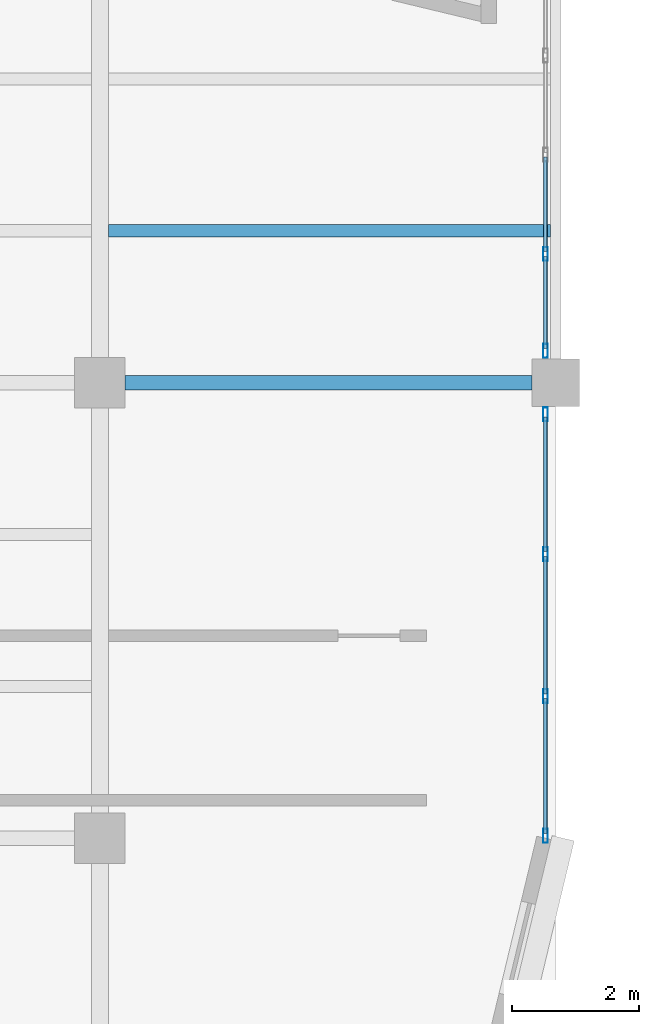
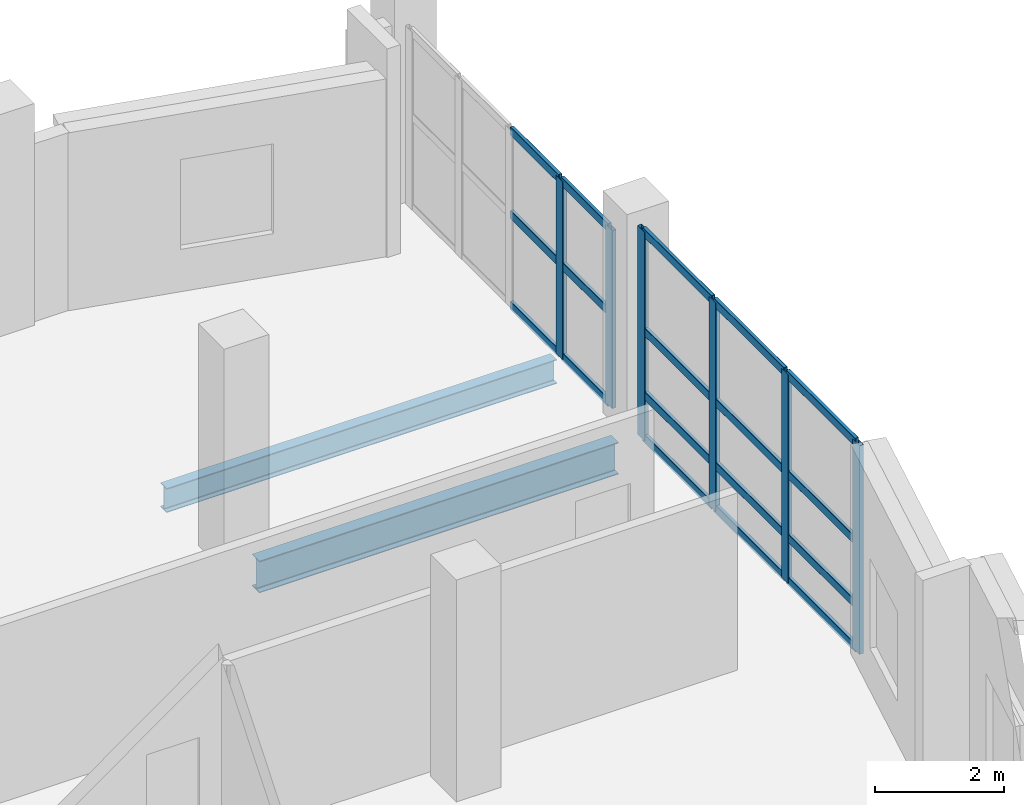
# One storey, part 24 of 94: 24 members, 2 beams, 2 elements without a shape of their own.
"""IFC4 building model written with IfcOpenShell, lengths in metres."""

from ifc_helpers import new_model, si_unit, direction, frame, origin, origin_2d, place, context, subcontext, project, spatial, hollow_rectangle, i_section, extrude, material, material_profile, profile_set, type_object, element, aggregate, save


model = new_model("IFC4")

# Units and contexts
model_context = context("Model", 3, precision=1e-05, world=origin(), true_north=direction((0.0, 1.0)))
body_context = subcontext(model_context, "Body", "Model", "MODEL_VIEW")
ifc_project = project(units=[si_unit("LENGTHUNIT", "METRE"), si_unit("AREAUNIT", "SQUARE_METRE"), si_unit("VOLUMEUNIT", "CUBIC_METRE"), si_unit("PLANEANGLEUNIT", "RADIAN"), si_unit("MASSUNIT", "GRAM", prefix="KILO")], contexts=[model_context])

# Site, building, storey
site_placement = place(None, origin())
site = spatial("IfcSite", under=ifc_project, at=site_placement, CompositionType="ELEMENT")
building_placement = place(site_placement, origin())
building = spatial("IfcBuilding", under=site, at=building_placement, Name="Kalmorath City Hall", CompositionType="ELEMENT")
storey_placement = place(building_placement, frame((0.0, 0.0, 14.699951171875)))
storey = spatial("IfcBuildingStorey", under=building, at=storey_placement, Name="L03", CompositionType="ELEMENT", Elevation=14.699951171875)

# Curtain wall, members
ifc_material_1 = material(Name="Anodised aluminium and laminated glass", Category="aluminium")
curtain_wall_type_1 = type_object("IfcCurtainWallType", Name="Unitised hurricane curtain wall 6270x3366 M1500", PredefinedType="NOTDEFINED", material=ifc_material_1)
curtain_wall_1_placement = place(storey_placement, origin())
curtain_wall_1 = element("IfcCurtainWall", 1, at=curtain_wall_1_placement, inside=storey, type_object=curtain_wall_type_1, Name="L03 curtain wall CW-63X34M15 #155", PredefinedType="NOTDEFINED")
ifc_material_2 = material(Name="Anodised aluminium framing", Category="aluminium")
ifc_material_profile_1 = material_profile(ifc_material_2, hollow_rectangle(XDim=0.074951171875, YDim=0.219970703125, WallThickness=0.00390625, InnerFilletRadius=0.00390625, OuterFilletRadius=0.008056640625, at=origin_2d()), Name="ALU-MUL-220X75X4")
ifc_profile_set_1 = profile_set([ifc_material_profile_1], Name="Anodised aluminium framing")
member_type_1 = type_object("IfcMemberType", Name="Curtain-wall primary mullion 220x75", PredefinedType="MULLION", material=ifc_profile_set_1)
member_1_placement = place(storey_placement, frame((35.840087890625, 30.83251953125, 0.0), z_axis=(0.0, 0.0, 1.0), x_axis=(1.0, 0.0, 0.0)))
member_1 = element("IfcMember", 2, at=member_1_placement, type_object=member_type_1, Name="CW-63X34M15 mullion 4", PredefinedType="MULLION", context=body_context, shape_type="SweptSolid", body=[
    extrude(hollow_rectangle(XDim=0.074951171875, YDim=0.219970703125, WallThickness=0.00390625, InnerFilletRadius=0.00390625, OuterFilletRadius=0.008056640625, at=origin_2d()), origin(), (0.0, 0.0, 1.0), 3.365966796875),
])
member_2_placement = place(storey_placement, frame((35.840087890625, 29.302490234375, 0.0), z_axis=(0.0, 0.0, 1.0), x_axis=(1.0, 0.0, 0.0)))
member_2 = element("IfcMember", 3, at=member_2_placement, type_object=member_type_1, Name="CW-63X34M15 mullion 5", PredefinedType="MULLION", context=body_context, shape_type="SweptSolid", body=[
    extrude(hollow_rectangle(XDim=0.074951171875, YDim=0.219970703125, WallThickness=0.00390625, InnerFilletRadius=0.00390625, OuterFilletRadius=0.008056640625, at=origin_2d()), origin(), (0.0, 0.0, 1.0), 3.365966796875),
])

ifc_material_3 = material(Name="Anodised aluminium and laminated glass", Category="aluminium")
curtain_wall_type_2 = type_object("IfcCurtainWallType", Name="Unitised hurricane curtain wall 6735x3950 M2100", PredefinedType="NOTDEFINED", material=ifc_material_3)
curtain_wall_2_placement = place(storey_placement, origin())
curtain_wall_2 = element("IfcCurtainWall", 4, at=curtain_wall_2_placement, inside=storey, type_object=curtain_wall_type_2, Name="L03 curtain wall CW-67X40M21 #156", PredefinedType="NOTDEFINED")
member_3_placement = place(storey_placement, frame((35.840087890625, 28.297607421875, 0.0), z_axis=(0.0, 0.0, 1.0), x_axis=(1.0, 0.0, 0.0)))
member_3 = element("IfcMember", 5, at=member_3_placement, type_object=member_type_1, Name="CW-67X40M21 mullion 1", PredefinedType="MULLION", context=body_context, shape_type="SweptSolid", body=[
    extrude(hollow_rectangle(XDim=0.074951171875, YDim=0.219970703125, WallThickness=0.00390625, InnerFilletRadius=0.00390625, OuterFilletRadius=0.008056640625, at=origin_2d()), origin(), (0.0, 0.0, 1.0), 3.949951171875),
])
member_4_placement = place(storey_placement, frame((35.840087890625, 26.090087890625, 0.0), z_axis=(0.0, 0.0, 1.0), x_axis=(1.0, 0.0, 0.0)))
member_4 = element("IfcMember", 6, at=member_4_placement, type_object=member_type_1, Name="CW-67X40M21 mullion 2", PredefinedType="MULLION", context=body_context, shape_type="SweptSolid", body=[
    extrude(hollow_rectangle(XDim=0.074951171875, YDim=0.219970703125, WallThickness=0.00390625, InnerFilletRadius=0.00390625, OuterFilletRadius=0.008056640625, at=origin_2d()), origin(), (0.0, 0.0, 1.0), 3.949951171875),
])
member_5_placement = place(storey_placement, frame((35.840087890625, 23.844970703125, 0.0), z_axis=(0.0, 0.0, 1.0), x_axis=(1.0, 0.0, 0.0)))
member_5 = element("IfcMember", 7, at=member_5_placement, type_object=member_type_1, Name="CW-67X40M21 mullion 3", PredefinedType="MULLION", context=body_context, shape_type="SweptSolid", body=[
    extrude(hollow_rectangle(XDim=0.074951171875, YDim=0.219970703125, WallThickness=0.00390625, InnerFilletRadius=0.00390625, OuterFilletRadius=0.008056640625, at=origin_2d()), origin(), (0.0, 0.0, 1.0), 3.949951171875),
])
member_6_placement = place(storey_placement, frame((35.840087890625, 21.637451171875, 0.0), z_axis=(0.0, 0.0, 1.0), x_axis=(1.0, 0.0, 0.0)))
member_6 = element("IfcMember", 8, at=member_6_placement, type_object=member_type_1, Name="CW-67X40M21 mullion 4", PredefinedType="MULLION", context=body_context, shape_type="SweptSolid", body=[
    extrude(hollow_rectangle(XDim=0.074951171875, YDim=0.219970703125, WallThickness=0.00390625, InnerFilletRadius=0.00390625, OuterFilletRadius=0.008056640625, at=origin_2d()), origin(), (0.0, 0.0, 1.0), 3.949951171875),
])

# Member
ifc_material_4 = material(Name="Anodised aluminium framing", Category="aluminium")
ifc_material_profile_2 = material_profile(ifc_material_4, hollow_rectangle(XDim=0.06494140625, YDim=0.159912109375, WallThickness=0.00390625, InnerFilletRadius=0.00390625, OuterFilletRadius=0.008056640625, at=origin_2d()), Name="ALU-TRN-160X65X4")
ifc_profile_set_2 = profile_set([ifc_material_profile_2], Name="Anodised aluminium framing")
member_type_2 = type_object("IfcMemberType", Name="Curtain-wall primary transom 160x65", PredefinedType="USERDEFINED", material=ifc_profile_set_2)
member_7_placement = place(storey_placement, frame((35.840087890625, 32.362548828125, 0.032470703125), z_axis=(0.0, -1.0, 0.0), x_axis=(1.0, 0.0, 0.0)))
member_7 = element("IfcMember", 9, at=member_7_placement, type_object=member_type_2, Name="CW-63X34M15 transom 3.1", ObjectType="TRANSOM", PredefinedType="USERDEFINED", context=body_context, shape_type="SweptSolid", body=[
    extrude(hollow_rectangle(XDim=0.06494140625, YDim=0.159912109375, WallThickness=0.00390625, InnerFilletRadius=0.00390625, OuterFilletRadius=0.008056640625, at=origin_2d()), origin(), (0.0, 0.0, 1.0), 1.492431640625),
])

member_8_placement = place(storey_placement, frame((35.840087890625, 32.362548828125, 1.75), z_axis=(0.0, -1.0, 0.0), x_axis=(1.0, 0.0, 0.0)))
member_8 = element("IfcMember", 10, at=member_8_placement, type_object=member_type_2, Name="CW-63X34M15 transom 3.2", ObjectType="TRANSOM", PredefinedType="USERDEFINED", context=body_context, shape_type="SweptSolid", body=[
    extrude(hollow_rectangle(XDim=0.06494140625, YDim=0.159912109375, WallThickness=0.00390625, InnerFilletRadius=0.00390625, OuterFilletRadius=0.008056640625, at=origin_2d()), origin(), (0.0, 0.0, 1.0), 1.492431640625),
])

member_9_placement = place(storey_placement, frame((35.840087890625, 32.362548828125, 3.33349609375), z_axis=(0.0, -1.0, 0.0), x_axis=(1.0, 0.0, 0.0)))
member_9 = element("IfcMember", 11, at=member_9_placement, type_object=member_type_2, Name="CW-63X34M15 transom 3.3", ObjectType="TRANSOM", PredefinedType="USERDEFINED", context=body_context, shape_type="SweptSolid", body=[
    extrude(hollow_rectangle(XDim=0.06494140625, YDim=0.159912109375, WallThickness=0.00390625, InnerFilletRadius=0.00390625, OuterFilletRadius=0.008056640625, at=origin_2d()), origin(), (0.0, 0.0, 1.0), 1.492431640625),
])

member_10_placement = place(storey_placement, frame((35.840087890625, 30.794921875, 0.032470703125), z_axis=(0.0, -1.0, 0.0), x_axis=(1.0, 0.0, 0.0)))
member_10 = element("IfcMember", 12, at=member_10_placement, type_object=member_type_2, Name="CW-63X34M15 transom 4.1", ObjectType="TRANSOM", PredefinedType="USERDEFINED", context=body_context, shape_type="SweptSolid", body=[
    extrude(hollow_rectangle(XDim=0.06494140625, YDim=0.159912109375, WallThickness=0.00390625, InnerFilletRadius=0.00390625, OuterFilletRadius=0.008056640625, at=origin_2d()), origin(), (0.0, 0.0, 1.0), 1.454833984375),
])

member_11_placement = place(storey_placement, frame((35.840087890625, 30.794921875, 1.75), z_axis=(0.0, -1.0, 0.0), x_axis=(1.0, 0.0, 0.0)))
member_11 = element("IfcMember", 13, at=member_11_placement, type_object=member_type_2, Name="CW-63X34M15 transom 4.2", ObjectType="TRANSOM", PredefinedType="USERDEFINED", context=body_context, shape_type="SweptSolid", body=[
    extrude(hollow_rectangle(XDim=0.06494140625, YDim=0.159912109375, WallThickness=0.00390625, InnerFilletRadius=0.00390625, OuterFilletRadius=0.008056640625, at=origin_2d()), origin(), (0.0, 0.0, 1.0), 1.454833984375),
])

member_12_placement = place(storey_placement, frame((35.840087890625, 30.794921875, 3.33349609375), z_axis=(0.0, -1.0, 0.0), x_axis=(1.0, 0.0, 0.0)))
member_12 = element("IfcMember", 14, at=member_12_placement, type_object=member_type_2, Name="CW-63X34M15 transom 4.3", ObjectType="TRANSOM", PredefinedType="USERDEFINED", context=body_context, shape_type="SweptSolid", body=[
    extrude(hollow_rectangle(XDim=0.06494140625, YDim=0.159912109375, WallThickness=0.00390625, InnerFilletRadius=0.00390625, OuterFilletRadius=0.008056640625, at=origin_2d()), origin(), (0.0, 0.0, 1.0), 1.454833984375),
])

aggregate(curtain_wall_1, [member_1, member_2, member_7, member_8, member_9, member_10, member_11, member_12])

member_13_placement = place(storey_placement, frame((35.840087890625, 28.260009765625, 0.032470703125), z_axis=(0.0, -1.0, 0.0), x_axis=(1.0, 0.0, 0.0)))
member_13 = element("IfcMember", 15, at=member_13_placement, type_object=member_type_2, Name="CW-67X40M21 transom 1.1", ObjectType="TRANSOM", PredefinedType="USERDEFINED", context=body_context, shape_type="SweptSolid", body=[
    extrude(hollow_rectangle(XDim=0.06494140625, YDim=0.159912109375, WallThickness=0.00390625, InnerFilletRadius=0.00390625, OuterFilletRadius=0.008056640625, at=origin_2d()), origin(), (0.0, 0.0, 1.0), 2.132568359375),
])

member_14_placement = place(storey_placement, frame((35.840087890625, 28.260009765625, 0.85009765625), z_axis=(0.0, -1.0, 0.0), x_axis=(1.0, 0.0, 0.0)))
member_14 = element("IfcMember", 16, at=member_14_placement, type_object=member_type_2, Name="CW-67X40M21 transom 1.2", ObjectType="TRANSOM", PredefinedType="USERDEFINED", context=body_context, shape_type="SweptSolid", body=[
    extrude(hollow_rectangle(XDim=0.06494140625, YDim=0.159912109375, WallThickness=0.00390625, InnerFilletRadius=0.00390625, OuterFilletRadius=0.008056640625, at=origin_2d()), origin(), (0.0, 0.0, 1.0), 2.132568359375),
])

member_15_placement = place(storey_placement, frame((35.840087890625, 28.260009765625, 2.053955078125), z_axis=(0.0, -1.0, 0.0), x_axis=(1.0, 0.0, 0.0)))
member_15 = element("IfcMember", 17, at=member_15_placement, type_object=member_type_2, Name="CW-67X40M21 transom 1.3", ObjectType="TRANSOM", PredefinedType="USERDEFINED", context=body_context, shape_type="SweptSolid", body=[
    extrude(hollow_rectangle(XDim=0.06494140625, YDim=0.159912109375, WallThickness=0.00390625, InnerFilletRadius=0.00390625, OuterFilletRadius=0.008056640625, at=origin_2d()), origin(), (0.0, 0.0, 1.0), 2.132568359375),
])

member_16_placement = place(storey_placement, frame((35.840087890625, 28.260009765625, 3.91748046875), z_axis=(0.0, -1.0, 0.0), x_axis=(1.0, 0.0, 0.0)))
member_16 = element("IfcMember", 18, at=member_16_placement, type_object=member_type_2, Name="CW-67X40M21 transom 1.4", ObjectType="TRANSOM", PredefinedType="USERDEFINED", context=body_context, shape_type="SweptSolid", body=[
    extrude(hollow_rectangle(XDim=0.06494140625, YDim=0.159912109375, WallThickness=0.00390625, InnerFilletRadius=0.00390625, OuterFilletRadius=0.008056640625, at=origin_2d()), origin(), (0.0, 0.0, 1.0), 2.132568359375),
])

member_17_placement = place(storey_placement, frame((35.840087890625, 26.052490234375, 0.032470703125), z_axis=(0.0, -1.0, 0.0), x_axis=(1.0, 0.0, 0.0)))
member_17 = element("IfcMember", 19, at=member_17_placement, type_object=member_type_2, Name="CW-67X40M21 transom 2.1", ObjectType="TRANSOM", PredefinedType="USERDEFINED", context=body_context, shape_type="SweptSolid", body=[
    extrude(hollow_rectangle(XDim=0.06494140625, YDim=0.159912109375, WallThickness=0.00390625, InnerFilletRadius=0.00390625, OuterFilletRadius=0.008056640625, at=origin_2d()), origin(), (0.0, 0.0, 1.0), 2.169921875),
])

member_18_placement = place(storey_placement, frame((35.840087890625, 26.052490234375, 0.85009765625), z_axis=(0.0, -1.0, 0.0), x_axis=(1.0, 0.0, 0.0)))
member_18 = element("IfcMember", 20, at=member_18_placement, type_object=member_type_2, Name="CW-67X40M21 transom 2.2", ObjectType="TRANSOM", PredefinedType="USERDEFINED", context=body_context, shape_type="SweptSolid", body=[
    extrude(hollow_rectangle(XDim=0.06494140625, YDim=0.159912109375, WallThickness=0.00390625, InnerFilletRadius=0.00390625, OuterFilletRadius=0.008056640625, at=origin_2d()), origin(), (0.0, 0.0, 1.0), 2.169921875),
])

member_19_placement = place(storey_placement, frame((35.840087890625, 26.052490234375, 2.053955078125), z_axis=(0.0, -1.0, 0.0), x_axis=(1.0, 0.0, 0.0)))
member_19 = element("IfcMember", 21, at=member_19_placement, type_object=member_type_2, Name="CW-67X40M21 transom 2.3", ObjectType="TRANSOM", PredefinedType="USERDEFINED", context=body_context, shape_type="SweptSolid", body=[
    extrude(hollow_rectangle(XDim=0.06494140625, YDim=0.159912109375, WallThickness=0.00390625, InnerFilletRadius=0.00390625, OuterFilletRadius=0.008056640625, at=origin_2d()), origin(), (0.0, 0.0, 1.0), 2.169921875),
])

member_20_placement = place(storey_placement, frame((35.840087890625, 26.052490234375, 3.91748046875), z_axis=(0.0, -1.0, 0.0), x_axis=(1.0, 0.0, 0.0)))
member_20 = element("IfcMember", 22, at=member_20_placement, type_object=member_type_2, Name="CW-67X40M21 transom 2.4", ObjectType="TRANSOM", PredefinedType="USERDEFINED", context=body_context, shape_type="SweptSolid", body=[
    extrude(hollow_rectangle(XDim=0.06494140625, YDim=0.159912109375, WallThickness=0.00390625, InnerFilletRadius=0.00390625, OuterFilletRadius=0.008056640625, at=origin_2d()), origin(), (0.0, 0.0, 1.0), 2.169921875),
])

member_21_placement = place(storey_placement, frame((35.840087890625, 23.8076171875, 0.032470703125), z_axis=(0.0, -1.0, 0.0), x_axis=(1.0, 0.0, 0.0)))
member_21 = element("IfcMember", 23, at=member_21_placement, type_object=member_type_2, Name="CW-67X40M21 transom 3.1", ObjectType="TRANSOM", PredefinedType="USERDEFINED", context=body_context, shape_type="SweptSolid", body=[
    extrude(hollow_rectangle(XDim=0.06494140625, YDim=0.159912109375, WallThickness=0.00390625, InnerFilletRadius=0.00390625, OuterFilletRadius=0.008056640625, at=origin_2d()), origin(), (0.0, 0.0, 1.0), 2.132568359375),
])

member_22_placement = place(storey_placement, frame((35.840087890625, 23.8076171875, 0.85009765625), z_axis=(0.0, -1.0, 0.0), x_axis=(1.0, 0.0, 0.0)))
member_22 = element("IfcMember", 24, at=member_22_placement, type_object=member_type_2, Name="CW-67X40M21 transom 3.2", ObjectType="TRANSOM", PredefinedType="USERDEFINED", context=body_context, shape_type="SweptSolid", body=[
    extrude(hollow_rectangle(XDim=0.06494140625, YDim=0.159912109375, WallThickness=0.00390625, InnerFilletRadius=0.00390625, OuterFilletRadius=0.008056640625, at=origin_2d()), origin(), (0.0, 0.0, 1.0), 2.132568359375),
])

member_23_placement = place(storey_placement, frame((35.840087890625, 23.8076171875, 2.053955078125), z_axis=(0.0, -1.0, 0.0), x_axis=(1.0, 0.0, 0.0)))
member_23 = element("IfcMember", 25, at=member_23_placement, type_object=member_type_2, Name="CW-67X40M21 transom 3.3", ObjectType="TRANSOM", PredefinedType="USERDEFINED", context=body_context, shape_type="SweptSolid", body=[
    extrude(hollow_rectangle(XDim=0.06494140625, YDim=0.159912109375, WallThickness=0.00390625, InnerFilletRadius=0.00390625, OuterFilletRadius=0.008056640625, at=origin_2d()), origin(), (0.0, 0.0, 1.0), 2.132568359375),
])

member_24_placement = place(storey_placement, frame((35.840087890625, 23.8076171875, 3.91748046875), z_axis=(0.0, -1.0, 0.0), x_axis=(1.0, 0.0, 0.0)))
member_24 = element("IfcMember", 26, at=member_24_placement, type_object=member_type_2, Name="CW-67X40M21 transom 3.4", ObjectType="TRANSOM", PredefinedType="USERDEFINED", context=body_context, shape_type="SweptSolid", body=[
    extrude(hollow_rectangle(XDim=0.06494140625, YDim=0.159912109375, WallThickness=0.00390625, InnerFilletRadius=0.00390625, OuterFilletRadius=0.008056640625, at=origin_2d()), origin(), (0.0, 0.0, 1.0), 2.132568359375),
])

aggregate(curtain_wall_2, [member_3, member_4, member_5, member_6, member_13, member_14, member_15, member_16, member_17, member_18, member_19, member_20, member_21, member_22, member_23, member_24])

# Beams
ifc_material_5 = material(Name="Steel ASTM A992 Grade 50", Category="steel")
ifc_material_profile_3 = material_profile(ifc_material_5, i_section(OverallWidth=0.19091796875, OverallDepth=0.45703125, WebThickness=0.009033203125, FlangeThickness=0.014404296875, FilletRadius=0.013916015625, at=origin_2d()), Name="W18X50")
ifc_profile_set_3 = profile_set([ifc_material_profile_3], Name="Steel ASTM A992 Grade 50")
beam_type_1 = type_object("IfcBeamType", Name="Steel composite joist W18X50", PredefinedType="JOIST", material=ifc_profile_set_3)
beam_1_placement = place(storey_placement, frame((28.93408203125, 31.199951171875, -0.492431640625), z_axis=(1.0, 0.0, 0.0), x_axis=(0.0, 1.0, 0.0)))
element("IfcBeam", 27, at=beam_1_placement, inside=storey, type_object=beam_type_1, Name="L03 joist SJ3 5.5.1", PredefinedType="JOIST", context=body_context, shape_type="SweptSolid", body=[
    extrude(i_section(OverallWidth=0.19091796875, OverallDepth=0.45703125, WebThickness=0.009033203125, FlangeThickness=0.014404296875, FilletRadius=0.013916015625, at=origin_2d()), origin(), (0.0, 0.0, 1.0), 6.9833984375),
])
ifc_material_6 = material(Name="Steel ASTM A992 Grade 50", Category="steel")
ifc_material_profile_4 = material_profile(ifc_material_6, i_section(OverallWidth=0.22802734375, OverallDepth=0.60302734375, WebThickness=0.010498046875, FlangeThickness=0.014892578125, FilletRadius=0.01611328125, at=origin_2d()), Name="W24X68")
ifc_profile_set_4 = profile_set([ifc_material_profile_4], Name="Steel ASTM A992 Grade 50")
beam_type_2 = type_object("IfcBeamType", Name="Steel floor girder W24X68", PredefinedType="BEAM", material=ifc_profile_set_4)
beam_2_placement = place(storey_placement, frame((29.199951171875, 28.800048828125, -0.5654296875), z_axis=(1.0, 0.0, 0.0), x_axis=(0.0, 1.0, 0.0)))
element("IfcBeam", 28, at=beam_2_placement, inside=storey, type_object=beam_type_2, Name="L03 girder SG9 X5-6/5", PredefinedType="BEAM", context=body_context, shape_type="SweptSolid", body=[
    extrude(i_section(OverallWidth=0.22802734375, OverallDepth=0.60302734375, WebThickness=0.010498046875, FlangeThickness=0.014892578125, FilletRadius=0.01611328125, at=origin_2d()), origin(), (0.0, 0.0, 1.0), 6.425048828125),
])

save(model, "model.ifc")
